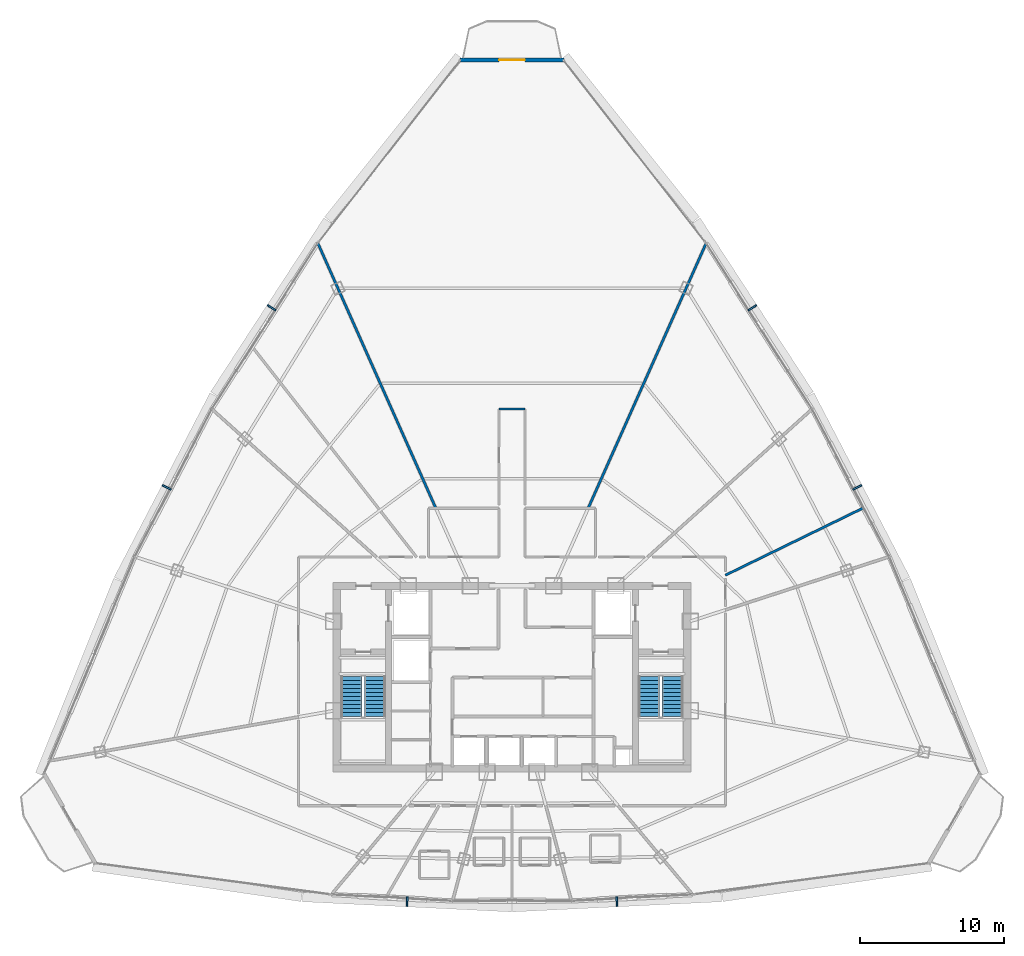
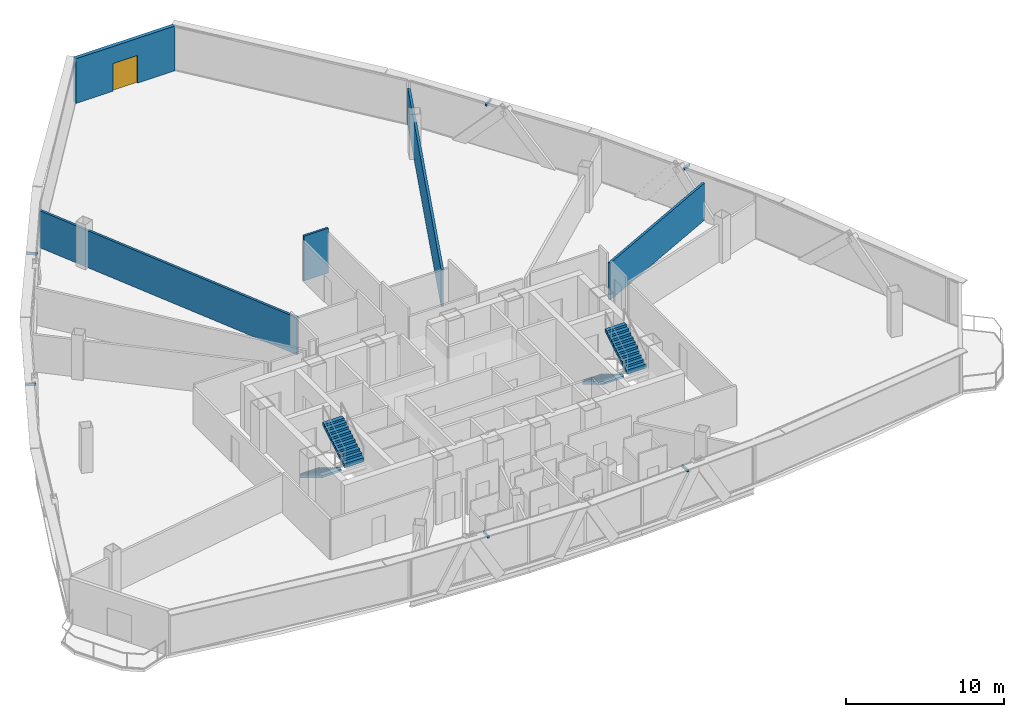
# One storey, part 34 of 37: 6 discrete accessories, 5 walls, 4 stair flights, 1 door, 1 opening, 2 elements without a shape of their own.
"""IFC4 building model written with IfcOpenShell, lengths in metres."""

from ifc_helpers import new_model, si_unit, direction, frame, frame_2d, origin, origin_with_axes, origin_2d, place, context, subcontext, project, spatial, polyline, rectangle, outline, extrude, source, transform, mapped, material, layer, layer_set, type_object, element, fill, aggregate, save


model = new_model("IFC4")

# Units and contexts
model_context = context("Model", 3, precision=1e-05, world=origin(), true_north=direction((0.0, 1.0)))
body_context = subcontext(model_context, "Body", "Model", "MODEL_VIEW")
ifc_project = project(units=[si_unit("LENGTHUNIT", "METRE"), si_unit("AREAUNIT", "SQUARE_METRE"), si_unit("VOLUMEUNIT", "CUBIC_METRE"), si_unit("PLANEANGLEUNIT", "RADIAN"), si_unit("MASSUNIT", "GRAM", prefix="KILO"), si_unit("THERMODYNAMICTEMPERATUREUNIT", "KELVIN"), si_unit("POWERUNIT", "WATT")], contexts=[model_context])

# Site, building, storey
site_placement = place(None, origin())
site = spatial("IfcSite", under=ifc_project, at=site_placement, CompositionType="ELEMENT")
building_placement = place(site_placement, origin())
building = spatial("IfcBuilding", under=site, at=building_placement, Name="Yunzhuo Pagoda Commons", CompositionType="ELEMENT")
storey_placement = place(building_placement, frame((0.0, 0.0, 277.56005859375)))
storey = spatial("IfcBuildingStorey", under=building, at=storey_placement, Name="L69", CompositionType="ELEMENT", Elevation=277.56005859375)

# Wall, opening, door
ifc_material_1 = material(Name="Precast concrete C40", Category="concrete")
ifc_layer_1 = layer(ifc_material_1, 0.260009765625)
ifc_layer_set_1 = layer_set([ifc_layer_1], Name="Precast concrete C40")
wall_type_1 = type_object("IfcWallType", Name="W-BAL1 Corner Balcony Threshold Wall 260", PredefinedType="STANDARD", material=ifc_layer_set_1)
wall_1_placement = place(storey_placement, frame((51.632080078125, 76.79296875, 0.0), z_axis=(0.0, 0.0, 1.0), x_axis=(-1.0, 0.0, 0.0)))
wall_1 = element("IfcWall", 1, at=wall_1_placement, inside=storey, type_object=wall_type_1, Name="L69 corner balcony wall V3", PredefinedType="STANDARD", context=body_context, shape_type="SweptSolid", body=[
    extrude(rectangle(XDim=7.26416015625, YDim=0.260009765625, at=frame_2d((3.632080078125, 0.0))), origin(), (0.0, 0.0, 1.0), 3.469970703125),
])
opening_placement = place(wall_1_placement, frame((2.732177734375, 0.0, 0.0)))
opening = element("IfcOpeningElement", 2, at=opening_placement, cuts=wall_1, Name="Opening D-BAL1", PredefinedType="OPENING", context=body_context, shape_type="SweptSolid", body=[
    extrude(rectangle(XDim=1.800048828125, YDim=2.14990234375, at=frame_2d((0.89990234375, 1.074951171875))), frame((0.0, 0.14013671875, 0.0), z_axis=(0.0, -1.0, 0.0), x_axis=(1.0, 0.0, 0.0)), (0.0, 0.0, 1.0), 0.280029296875),
])
ifc_material_2 = material(Name="Anodized aluminium frame and tempered glazed leaf", Category="aluminium")
door_type = type_object("IfcDoorType", Name="D-BAL1 Corner Balcony Sliding Glazed Door 1800x2150", OperationType="DOUBLE_DOOR_SLIDING", PredefinedType="DOOR", material=ifc_material_2)
shared_shape_1 = source(origin(), body_context, "Body", "SweptSolid", [
    extrude(rectangle(XDim=1.800048828125, YDim=2.14990234375, at=frame_2d((0.89990234375, 1.074951171875))), frame((0.0, 0.02490234375, 0.0), z_axis=(0.0, -1.0, 0.0), x_axis=(1.0, 0.0, 0.0)), (0.0, 0.0, 1.0), 0.050048828125),
])
door_placement = place(opening_placement, origin_with_axes())
door = element("IfcDoor", 3, at=door_placement, inside=storey, type_object=door_type, Name="L69 corner balcony sliding door V3", OperationType="DOUBLE_DOOR_SLIDING", OverallHeight=2.14990234375, OverallWidth=1.800048828125, PredefinedType="DOOR", context=body_context, shape_type="MappedRepresentation", body=[
    mapped(shared_shape_1, transform((0.0, 0.0, 0.0), scale=1.0)),
])
fill(opening, door)

# Walls
ifc_material_3 = material(Name="Gypsum plasterboard on acoustic stud")
ifc_layer_2 = layer(ifc_material_3, 0.14990234375)
ifc_layer_set_2 = layer_set([ifc_layer_2], Name="Gypsum plasterboard on acoustic stud")
wall_type_2 = type_object("IfcWallType", Name="W-COR3 High-Zone Rated Corridor Wall 150", PredefinedType="PARTITIONING", material=ifc_layer_set_2)
wall_2_placement = place(storey_placement, frame((47.10009765625, 52.5, 0.0), z_axis=(0.0, 0.0, 1.0), x_axis=(1.0, 0.0, 0.0)))
element("IfcWall", 4, at=wall_2_placement, inside=storey, type_object=wall_type_2, Name="L69 interior wall IW-L69-CWL07", PredefinedType="PARTITIONING", context=body_context, shape_type="SweptSolid", body=[
    extrude(rectangle(XDim=1.7998046875, YDim=0.14990234375, at=frame_2d((0.89990234375, 0.0))), origin(), (0.0, 0.0, 1.0), 3.469970703125),
])
ifc_layer_3 = layer(ifc_material_3, 0.169921875)
ifc_layer_set_3 = layer_set([ifc_layer_3], Name="Gypsum plasterboard on acoustic stud")
wall_type_3 = type_object("IfcWallType", Name="W-PRT4 High-Zone Demising Wall 170", PredefinedType="PARTITIONING", material=ifc_layer_set_3)
wall_3_placement = place(storey_placement, frame((62.85009765625, 40.94287109375, 0.0), z_axis=(0.0, 0.0, 1.0), x_axis=(0.89879540995, 0.43836835088, 0.0)))
element("IfcWall", 5, at=wall_3_placement, inside=storey, type_object=wall_type_3, Name="L69 interior wall IW-L69-RAD02", PredefinedType="PARTITIONING", context=body_context, shape_type="SweptSolid", body=[
    extrude(rectangle(XDim=10.70263671875, YDim=0.169921875, at=frame_2d((5.351318359375, 0.0))), origin(), (0.0, 0.0, 1.0), 2.869873046875),
])
for number, where, z_axis, x_axis, name in (
    (6, (53.298095703125, 45.60009765625, 0.0), (0.0, 0.0, 1.0), (0.406743072482, 0.91354259506, 0.0), "L69 interior wall IW-L69-RAD04"),
    (7, (42.701904296875, 45.60009765625, 0.0), (0.0, 0.0, 1.0), (-0.406743072482, 0.91354259506, 0.0), "L69 interior wall IW-L69-RAD05"),
):
    element("IfcWall", number, at=place(storey_placement, frame(where, z_axis=z_axis, x_axis=x_axis)), inside=storey, type_object=wall_type_3, Name=name, PredefinedType="PARTITIONING", context=body_context, shape_type="SweptSolid", body=[
        extrude(rectangle(XDim=20.191162109375, YDim=0.169921875, at=frame_2d((10.095703125, 0.0))), origin(), (0.0, 0.0, 1.0), 2.869873046875),
    ])

# Stair, stair flights
ifc_material_4 = material(Name="Concrete C40", Category="concrete")
stair_type_1 = type_object("IfcStairType", Name="ST-C1 Core Smokeproof Stair ST1", PredefinedType="HALF_TURN_STAIR", material=ifc_material_4)
stair_1_placement = place(storey_placement, origin())
stair_1 = element("IfcStair", 8, at=stair_1_placement, inside=storey, type_object=stair_type_1, Name="L69 Core smokeproof stair ST1", PredefinedType="HALF_TURN_STAIR")
stair_flight_type_1 = type_object("IfcStairFlightType", Name="STF-C1 Core Stair Flight 1450", PredefinedType="STRAIGHT", material=ifc_material_4)
shared_shape_2 = source(origin(), body_context, "Body", "SweptSolid", [
    extrude(outline(polyline([(0.0, -0.14990234375), (0.0, 0.0), (0.0, 0.16943359375), (0.280029296875, 0.16943359375), (0.280029296875, 0.339111328125), (0.56005859375, 0.339111328125), (0.56005859375, 0.508544921875), (0.840087890625, 0.508544921875), (0.840087890625, 0.67822265625), (1.1201171875, 0.67822265625), (1.1201171875, 0.84765625), (1.39990234375, 0.84765625), (1.39990234375, 1.017333984375), (1.679931640625, 1.017333984375), (1.679931640625, 1.186767578125), (1.9599609375, 1.186767578125), (1.9599609375, 1.3564453125), (2.239990234375, 1.3564453125), (2.239990234375, 1.52587890625), (2.52001953125, 1.52587890625), (2.52001953125, 1.695556640625), (2.800048828125, 1.695556640625), (2.800048828125, 1.864990234375), (2.800048828125, 1.520263671875), (0.289306640625, 0.0), (0.050048828125, -0.14990234375), (0.0, -0.14990234375)])), frame((0.0, 0.72509765625, 0.0), z_axis=(0.0, -1.0, 0.0), x_axis=(1.0, 0.0, 0.0)), (0.0, 0.0, 1.0), 1.449951171875),
])
stair_flight_1_placement = place(storey_placement, frame((36.824951171875, 33.89990234375, 0.0), z_axis=(0.0, 0.0, 1.0), x_axis=(0.0, -1.0, 0.0)))
stair_flight_1 = element("IfcStairFlight", 9, at=stair_flight_1_placement, type_object=stair_flight_type_1, Name="ST1 flight 1", NumberOfRisers=11, NumberOfTreads=10, PredefinedType="STRAIGHT", RiserHeight=0.169545455, TreadLength=0.28, context=body_context, shape_type="MappedRepresentation", body=[
    mapped(shared_shape_2, transform((0.0, 0.0, 0.0), scale=1.0)),
])
stair_flight_2_placement = place(storey_placement, frame((38.47509765625, 31.10009765625, 1.864990234375), z_axis=(0.0, 0.0, 1.0), x_axis=(0.0, 1.0, 0.0)))
stair_flight_2 = element("IfcStairFlight", 10, at=stair_flight_2_placement, type_object=stair_flight_type_1, Name="ST1 flight 2", NumberOfRisers=11, NumberOfTreads=10, PredefinedType="STRAIGHT", RiserHeight=0.169545455, TreadLength=0.28, context=body_context, shape_type="MappedRepresentation", body=[
    mapped(shared_shape_2, transform((0.0, 0.0, 0.0), scale=1.0)),
])
aggregate(stair_1, [stair_flight_1, stair_flight_2])

stair_type_2 = type_object("IfcStairType", Name="ST-C2 Core Smokeproof Stair ST2", PredefinedType="HALF_TURN_STAIR", material=ifc_material_4)
stair_2_placement = place(storey_placement, origin())
stair_2 = element("IfcStair", 11, at=stair_2_placement, inside=storey, type_object=stair_type_2, Name="L69 Core smokeproof stair ST2", PredefinedType="HALF_TURN_STAIR")
stair_flight_type_2 = type_object("IfcStairFlightType", Name="STF-C2 Core Stair Flight 1460", PredefinedType="STRAIGHT", material=ifc_material_4)
stair_flight_3_placement = place(storey_placement, frame((57.52490234375, 33.89990234375, 0.0), z_axis=(0.0, 0.0, 1.0), x_axis=(0.0, -1.0, 0.0)))
stair_flight_3 = element("IfcStairFlight", 12, at=stair_flight_3_placement, type_object=stair_flight_type_2, Name="ST2 flight 1", NumberOfRisers=11, NumberOfTreads=10, PredefinedType="STRAIGHT", RiserHeight=0.169545455, TreadLength=0.28, context=body_context, shape_type="MappedRepresentation", body=[
    mapped(shared_shape_2, transform((0.0, 0.0, 0.0), scale=1.0)),
])
stair_flight_4_placement = place(storey_placement, frame((59.175048828125, 31.10009765625, 1.864990234375), z_axis=(0.0, 0.0, 1.0), x_axis=(0.0, 1.0, 0.0)))
stair_flight_4 = element("IfcStairFlight", 13, at=stair_flight_4_placement, type_object=stair_flight_type_2, Name="ST2 flight 2", NumberOfRisers=11, NumberOfTreads=10, PredefinedType="STRAIGHT", RiserHeight=0.169545455, TreadLength=0.28, context=body_context, shape_type="MappedRepresentation", body=[
    mapped(shared_shape_2, transform((0.0, 0.0, 0.0), scale=1.0)),
])
aggregate(stair_2, [stair_flight_3, stair_flight_4])

# Discrete accessories
ifc_material_5 = material(Name="Anodized aluminium 6063-T6", Category="aluminium")
discrete_accessory_type = type_object("IfcDiscreteAccessoryType", Name="BK-SUN1 Sunshade Outrigger Bracket", PredefinedType="BRACKET", material=ifc_material_5)
shared_shape_3 = source(origin(), body_context, "Body", "SweptSolid", [
    extrude(rectangle(XDim=0.1201171875, YDim=0.679931640625, at=origin_2d()), origin(), (0.0, 0.0, 1.0), 0.179931640625),
])
for number, where, z_axis, x_axis, name in (
    (14, (40.701904296875, 18.232177734375, 3.259765625), (0.0, 0.0, 1.0), (0.998818043775, -0.04860571396, 0.0), "L69 sunshade outrigger bracket F1.2"),
    (15, (55.298095703125, 18.232177734375, 3.259765625), (0.0, 0.0, 1.0), (0.998818043775, 0.04860571396, 0.0), "L69 sunshade outrigger bracket F1.3"),
    (16, (72.02490234375, 47.052001953125, 3.259765625), (0.0, 0.0, 1.0), (-0.461206683033, 0.88729273384, 0.0), "L69 sunshade outrigger bracket F2.2"),
    (17, (64.7265625, 59.5546875, 3.259765625), (0.0, 0.0, 1.0), (-0.545838756973, 0.837890238269, 0.0), "L69 sunshade outrigger bracket F2.3"),
    (18, (31.2734375, 59.5546875, 3.259765625), (0.0, 0.0, 1.0), (-0.545838756973, -0.837890238269, 0.0), "L69 sunshade outrigger bracket F3.2"),
    (19, (23.97509765625, 47.052001953125, 3.259765625), (0.0, 0.0, 1.0), (-0.461206683033, -0.88729273384, 0.0), "L69 sunshade outrigger bracket F3.3"),
):
    element("IfcDiscreteAccessory", number, at=place(storey_placement, frame(where, z_axis=z_axis, x_axis=x_axis)), inside=storey, type_object=discrete_accessory_type, Name=name, PredefinedType="BRACKET", context=body_context, shape_type="MappedRepresentation", body=[
        mapped(shared_shape_3, transform((0.0, 0.0, 0.0), scale=1.0)),
    ])

save(model, "model.ifc")
